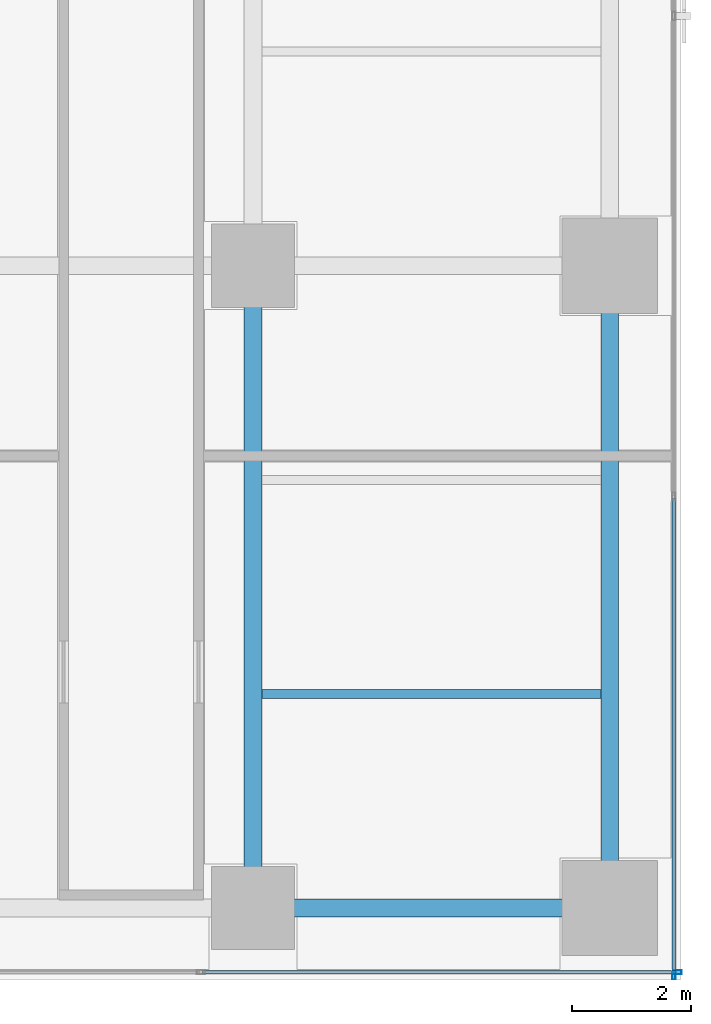
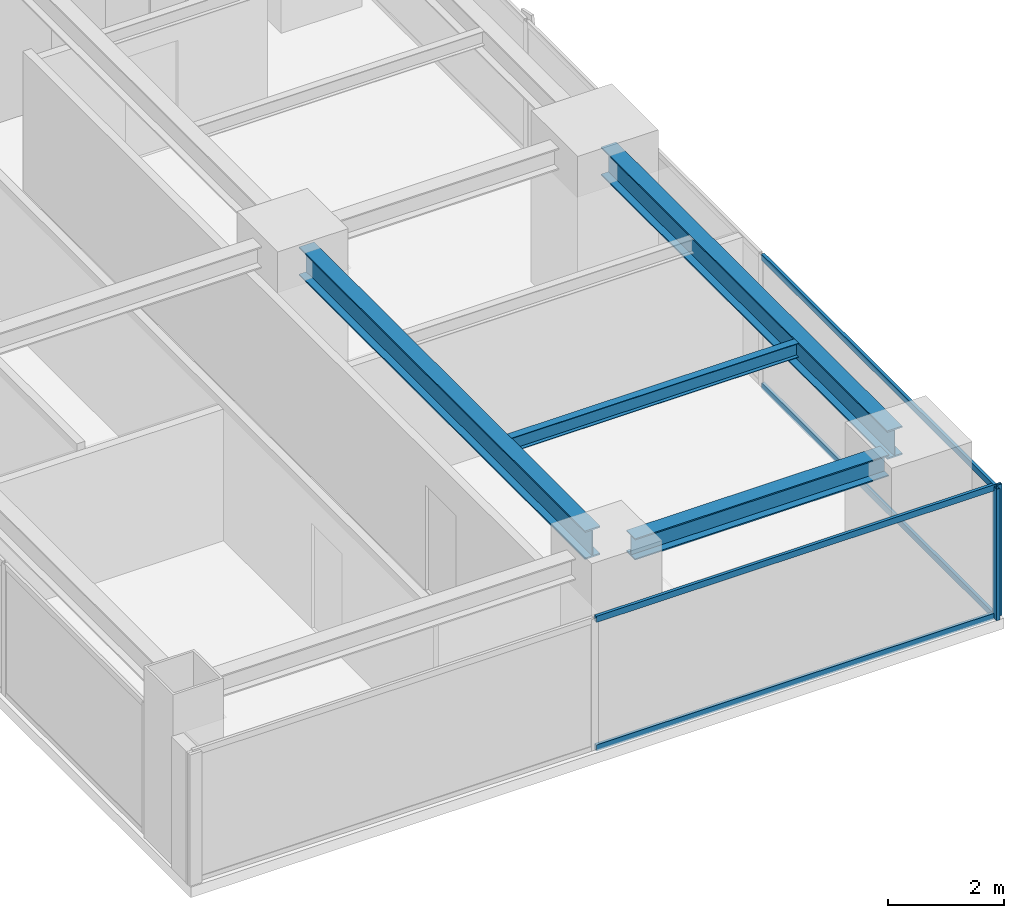
# One storey, part 13 of 29: 6 members, 4 beams, 2 elements without a shape of their own.
"""IFC4 building model written with IfcOpenShell, lengths in metres."""

from ifc_helpers import new_model, si_unit, direction, frame, origin, origin_2d, place, context, subcontext, project, spatial, hollow_rectangle, i_section, extrude, source, transform, mapped, material, layer, layer_set, material_profile, profile_set, type_object, element, aggregate, save


model = new_model("IFC4")

# Units and contexts
model_context = context("Model", 3, precision=1e-05, world=origin(), true_north=direction((0.0, 1.0)))
body_context = subcontext(model_context, "Body", "Model", "MODEL_VIEW")
ifc_project = project(units=[si_unit("LENGTHUNIT", "METRE"), si_unit("AREAUNIT", "SQUARE_METRE"), si_unit("VOLUMEUNIT", "CUBIC_METRE"), si_unit("PLANEANGLEUNIT", "RADIAN"), si_unit("MASSUNIT", "GRAM", prefix="KILO")], contexts=[model_context])

# Site, building, storey
site_placement = place(None, origin())
site = spatial("IfcSite", under=ifc_project, at=site_placement, CompositionType="ELEMENT")
building_placement = place(site_placement, origin())
building = spatial("IfcBuilding", under=site, at=building_placement, Name="Sumidabori Civic Tower", CompositionType="ELEMENT")
storey_placement = place(building_placement, frame((0.0, 0.0, 218.0)))
storey = spatial("IfcBuildingStorey", under=building, at=storey_placement, Name="L56", CompositionType="ELEMENT", Elevation=218.0)

# Beams
ifc_material_1 = material(Name="Steel SN490", Category="steel")
ifc_material_profile_1 = material_profile(ifc_material_1, i_section(OverallWidth=0.300048828125, OverallDepth=0.60009765625, WebThickness=0.015380859375, FlangeThickness=0.030029296875, at=origin_2d()), Name="HE 600 B")
ifc_profile_set_1 = profile_set([ifc_material_profile_1], Name="Steel SN490")
beam_type_1 = type_object("IfcBeamType", Name="BM-GIRD-600", PredefinedType="BEAM", material=ifc_profile_set_1)
shared_shape_1 = source(origin(), body_context, "Body", "SweptSolid", [
    extrude(i_section(OverallWidth=0.300048828125, OverallDepth=0.60009765625, WebThickness=0.015380859375, FlangeThickness=0.030029296875, at=origin_2d()), origin(), (0.0, 0.0, 1.0), 9.840087890625),
])
for number, where, z_axis, x_axis, name in (
    (1, (16.800048828125, -10.320068359375, 3.080078125), (0.0, 1.0, 0.0), (-1.0, 0.0, 0.0), "Primary Girder L56 GY-19"),
    (2, (22.800048828125, -10.320068359375, 3.080078125), (0.0, 1.0, 0.0), (-1.0, 0.0, 0.0), "Primary Girder L56 GY-22"),
):
    element("IfcBeam", number, at=place(storey_placement, frame(where, z_axis=z_axis, x_axis=x_axis)), inside=storey, type_object=beam_type_1, Name=name, PredefinedType="BEAM", context=body_context, shape_type="MappedRepresentation", body=[
        mapped(shared_shape_1, transform((0.0, 0.0, 0.0), x_axis=(1.0, 0.0, 0.0), y_axis=(0.0, 1.0, 0.0), z_axis=(0.0, 0.0, 1.0), scale=1.0)),
    ])
ifc_material_profile_2 = material_profile(ifc_material_1, i_section(OverallWidth=0.14990234375, OverallDepth=0.300048828125, WebThickness=0.007080078125, FlangeThickness=0.0107421875, at=origin_2d()), Name="IPE 300")
ifc_profile_set_2 = profile_set([ifc_material_profile_2], Name="Steel SN490")
beam_type_2 = type_object("IfcBeamType", Name="BM-JST-300", PredefinedType="JOIST", material=ifc_profile_set_2)
shared_shape_2 = source(origin(), body_context, "Body", "SweptSolid", [
    extrude(i_section(OverallWidth=0.14990234375, OverallDepth=0.300048828125, WebThickness=0.007080078125, FlangeThickness=0.0107421875, at=origin_2d()), origin(), (0.0, 0.0, 1.0), 5.699951171875),
])
beam_1_placement = place(storey_placement, frame((16.949951171875, -7.199951171875, 3.22998046875), z_axis=(1.0, 0.0, 0.0), x_axis=(0.0, 1.0, 0.0)))
element("IfcBeam", 3, at=beam_1_placement, inside=storey, type_object=beam_type_2, Name="Outer Bay Floor Joist L56 JSTO-26", PredefinedType="JOIST", context=body_context, shape_type="MappedRepresentation", body=[
    mapped(shared_shape_2, transform((0.0, 0.0, 0.0), x_axis=(1.0, 0.0, 0.0), y_axis=(0.0, 1.0, 0.0), z_axis=(0.0, 0.0, 1.0), scale=1.0)),
])
ifc_material_profile_3 = material_profile(ifc_material_1, i_section(OverallWidth=0.300048828125, OverallDepth=0.449951171875, WebThickness=0.013916015625, FlangeThickness=0.02587890625, at=origin_2d()), Name="HE 450 B")
ifc_profile_set_3 = profile_set([ifc_material_profile_3], Name="Steel SN490")
beam_type_3 = type_object("IfcBeamType", Name="BM-GIRD-450", PredefinedType="BEAM", material=ifc_profile_set_3)
shared_shape_3 = source(origin(), body_context, "Body", "SweptSolid", [
    extrude(i_section(OverallWidth=0.300048828125, OverallDepth=0.449951171875, WebThickness=0.013916015625, FlangeThickness=0.02587890625, at=origin_2d()), origin(), (0.0, 0.0, 1.0), 5.0400390625),
])
beam_2_placement = place(storey_placement, frame((17.280029296875, -10.800048828125, 3.155029296875), z_axis=(1.0, 0.0, 0.0), x_axis=(0.0, 1.0, 0.0)))
element("IfcBeam", 4, at=beam_2_placement, inside=storey, type_object=beam_type_3, Name="Primary Girder L56 GX-04", PredefinedType="BEAM", context=body_context, shape_type="MappedRepresentation", body=[
    mapped(shared_shape_3, transform((0.0, 0.0, 0.0), x_axis=(1.0, 0.0, 0.0), y_axis=(0.0, 1.0, 0.0), z_axis=(0.0, 0.0, 1.0), scale=1.0)),
])

# Curtain wall, member
ifc_material_2 = material(Name="Anodised Bronze Aluminium AW-6063-T6", Category="aluminium")
ifc_layer = layer(ifc_material_2, 0.179931640625, Name="Anodised Bronze Aluminium AW-6063-T6")
ifc_layer_set = layer_set([ifc_layer], Name="Anodised Bronze Aluminium AW-6063-T6")
curtain_wall_type = type_object("IfcCurtainWallType", Name="CW-SYS-5", PredefinedType="NOTDEFINED", material=ifc_layer_set)
curtain_wall_1_placement = place(storey_placement, origin())
curtain_wall_1 = element("IfcCurtainWall", 5, at=curtain_wall_1_placement, inside=storey, type_object=curtain_wall_type, Name="Curtain Wall CW:L56:R09", PredefinedType="NOTDEFINED")
ifc_material_profile_4 = material_profile(ifc_material_2, hollow_rectangle(XDim=0.06005859375, YDim=0.139892578125, WallThickness=0.0048828125, at=origin_2d()), Name="ALU MULLION 140x60")
ifc_profile_set_4 = profile_set([ifc_material_profile_4], Name="Anodised Bronze Aluminium AW-6063-T6")
member_type_1 = type_object("IfcMemberType", Name="CW-MUL-140", PredefinedType="MULLION", material=ifc_profile_set_4)
shared_shape_4 = source(origin(), body_context, "Body", "SweptSolid", [
    extrude(hollow_rectangle(XDim=0.06005859375, YDim=0.139892578125, WallThickness=0.0048828125, at=origin_2d()), origin(), (0.0, 0.0, 1.0), 2.760009765625),
])
member_1_placement = place(storey_placement, frame((23.93994140625, -11.8798828125, 0.0), z_axis=(0.0, 0.0, 1.0), x_axis=(0.0, 1.0, 0.0)))
member_1 = element("IfcMember", 6, at=member_1_placement, type_object=member_type_1, Name="CW-5 mullion 3", PredefinedType="MULLION", context=body_context, shape_type="MappedRepresentation", body=[
    mapped(shared_shape_4, transform((0.0, 0.0, 0.0), x_axis=(1.0, 0.0, 0.0), y_axis=(0.0, 1.0, 0.0), z_axis=(0.0, 0.0, 1.0), scale=1.0)),
])

curtain_wall_2_placement = place(storey_placement, origin())
curtain_wall_2 = element("IfcCurtainWall", 7, at=curtain_wall_2_placement, inside=storey, type_object=curtain_wall_type, Name="Curtain Wall CW:L56:R10", PredefinedType="NOTDEFINED")
member_2_placement = place(storey_placement, frame((23.8798828125, -11.93994140625, 0.0), z_axis=(0.0, 0.0, 1.0), x_axis=(-1.0, 0.0, 0.0)))
member_2 = element("IfcMember", 8, at=member_2_placement, type_object=member_type_1, Name="CW-5 mullion 1", PredefinedType="MULLION", context=body_context, shape_type="MappedRepresentation", body=[
    mapped(shared_shape_4, transform((0.0, 0.0, 0.0), x_axis=(1.0, 0.0, 0.0), y_axis=(0.0, 1.0, 0.0), z_axis=(0.0, 0.0, 1.0), scale=1.0)),
])

# Member
ifc_material_profile_5 = material_profile(ifc_material_2, hollow_rectangle(XDim=0.06005859375, YDim=0.1298828125, WallThickness=0.0048828125, at=origin_2d()), Name="ALU TRANSOM 130x60")
ifc_profile_set_5 = profile_set([ifc_material_profile_5], Name="Anodised Bronze Aluminium AW-6063-T6")
member_type_2 = type_object("IfcMemberType", Name="CW-TRN-130", PredefinedType="USERDEFINED", material=ifc_profile_set_5)
shared_shape_5 = source(origin(), body_context, "Body", "SweptSolid", [
    extrude(hollow_rectangle(XDim=0.06005859375, YDim=0.1298828125, WallThickness=0.0048828125, at=origin_2d()), origin(), (0.0, 0.0, 1.0), 7.954833984375),
])
member_3_placement = place(storey_placement, frame((15.955078125, -11.8798828125, 0.030029296875), z_axis=(1.0, 0.0, 0.0), x_axis=(0.0, 1.0, 0.0)))
member_3 = element("IfcMember", 9, at=member_3_placement, type_object=member_type_2, Name="CW-5 transom 2.1", ObjectType="TRANSOM", PredefinedType="USERDEFINED", context=body_context, shape_type="MappedRepresentation", body=[
    mapped(shared_shape_5, transform((0.0, 0.0, 0.0), x_axis=(1.0, 0.0, 0.0), y_axis=(0.0, 1.0, 0.0), z_axis=(0.0, 0.0, 1.0), scale=1.0)),
])

member_4_placement = place(storey_placement, frame((15.955078125, -11.8798828125, 2.72998046875), z_axis=(1.0, 0.0, 0.0), x_axis=(0.0, 1.0, 0.0)))
member_4 = element("IfcMember", 10, at=member_4_placement, type_object=member_type_2, Name="CW-5 transom 2.2", ObjectType="TRANSOM", PredefinedType="USERDEFINED", context=body_context, shape_type="MappedRepresentation", body=[
    mapped(shared_shape_5, transform((0.0, 0.0, 0.0), x_axis=(1.0, 0.0, 0.0), y_axis=(0.0, 1.0, 0.0), z_axis=(0.0, 0.0, 1.0), scale=1.0)),
])

aggregate(curtain_wall_1, [member_1, member_3, member_4])

shared_shape_6 = source(origin(), body_context, "Body", "SweptSolid", [
    extrude(hollow_rectangle(XDim=0.06005859375, YDim=0.1298828125, WallThickness=0.0048828125, at=origin_2d()), origin(), (0.0, 0.0, 1.0), 7.994873046875),
])
member_5_placement = place(storey_placement, frame((23.8798828125, -11.909912109375, 0.030029296875), z_axis=(0.0, 1.0, 0.0), x_axis=(-1.0, 0.0, 0.0)))
member_5 = element("IfcMember", 11, at=member_5_placement, type_object=member_type_2, Name="CW-5 transom 1.1", ObjectType="TRANSOM", PredefinedType="USERDEFINED", context=body_context, shape_type="MappedRepresentation", body=[
    mapped(shared_shape_6, transform((0.0, 0.0, 0.0), x_axis=(1.0, 0.0, 0.0), y_axis=(0.0, 1.0, 0.0), z_axis=(0.0, 0.0, 1.0), scale=1.0)),
])

member_6_placement = place(storey_placement, frame((23.8798828125, -11.909912109375, 2.72998046875), z_axis=(0.0, 1.0, 0.0), x_axis=(-1.0, 0.0, 0.0)))
member_6 = element("IfcMember", 12, at=member_6_placement, type_object=member_type_2, Name="CW-5 transom 1.2", ObjectType="TRANSOM", PredefinedType="USERDEFINED", context=body_context, shape_type="MappedRepresentation", body=[
    mapped(shared_shape_6, transform((0.0, 0.0, 0.0), x_axis=(1.0, 0.0, 0.0), y_axis=(0.0, 1.0, 0.0), z_axis=(0.0, 0.0, 1.0), scale=1.0)),
])

aggregate(curtain_wall_2, [member_2, member_5, member_6])

save(model, "model.ifc")
